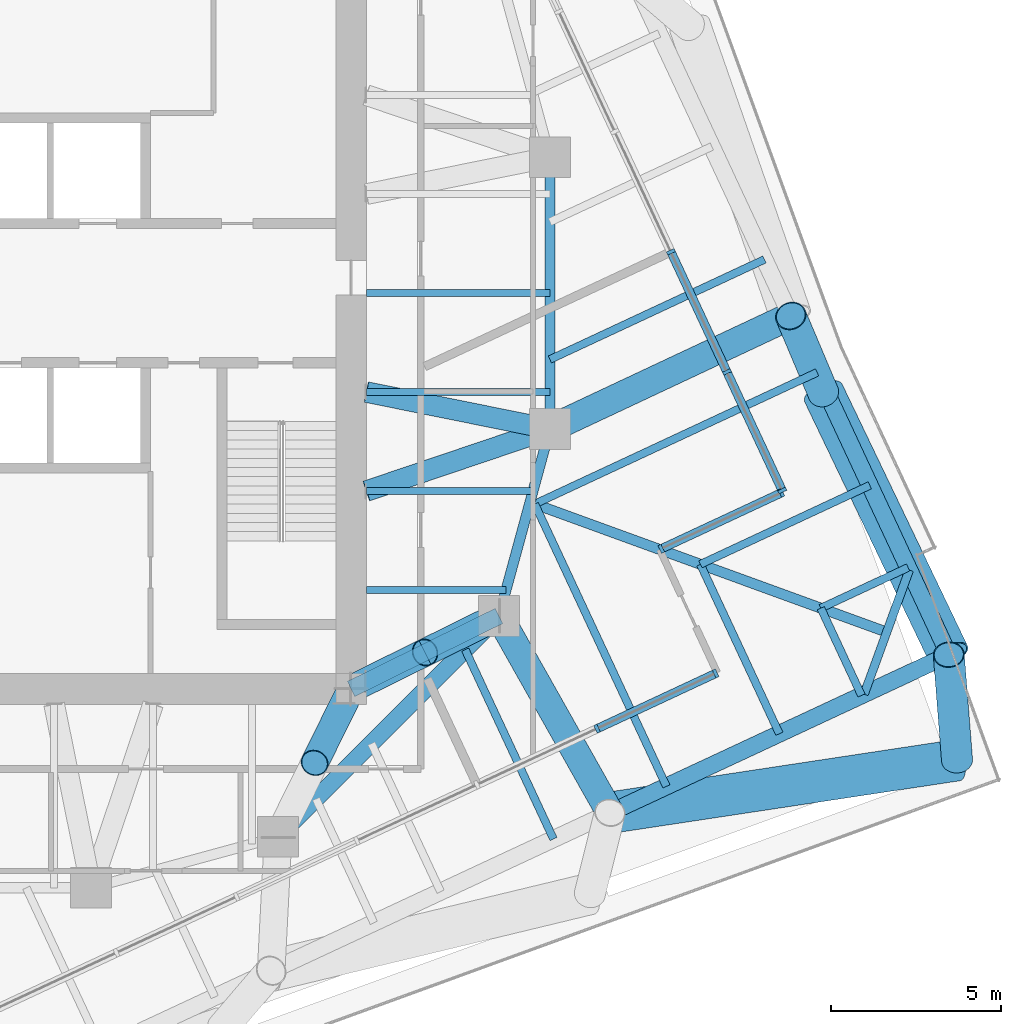
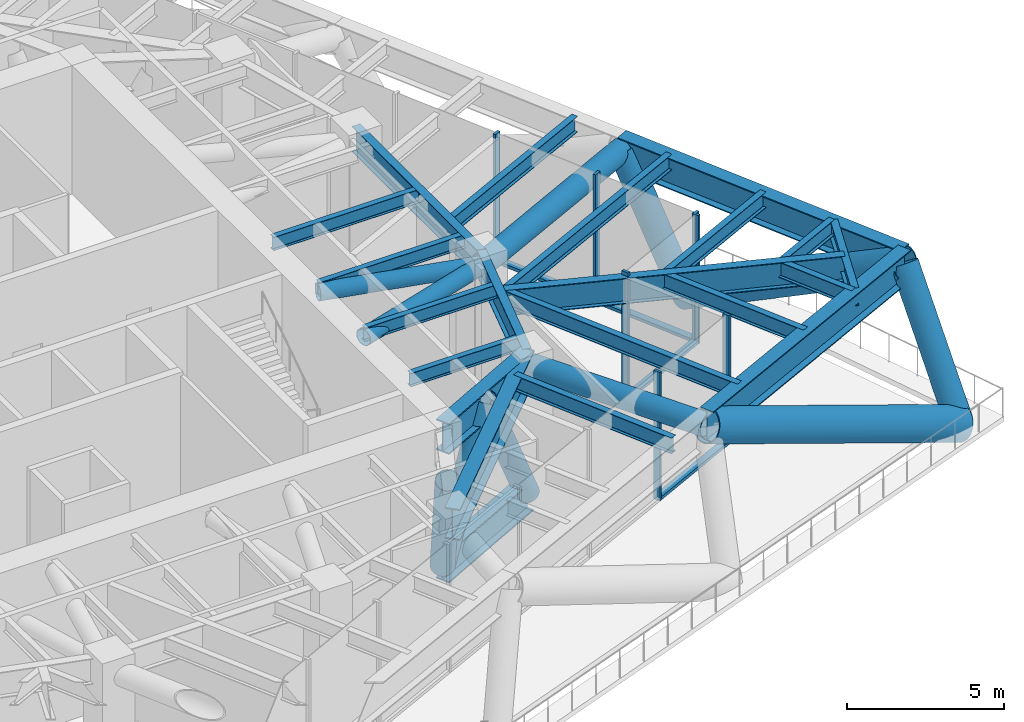
# One storey, part 4 of 16: 24 members, 19 beams, 3 elements without a shape of their own.
"""IFC4 building model written with IfcOpenShell, lengths in metres."""

from ifc_helpers import new_model, si_unit, direction, frame, origin, origin_2d, place, context, subcontext, project, spatial, rectangle, hollow_circle, i_section, extrude, material, material_profile, profile_set, type_object, element, aggregate, save


model = new_model("IFC4")

# Units and contexts
model_context = context("Model", 3, precision=1e-05, world=origin(), true_north=direction((0.0, 1.0)))
body_context = subcontext(model_context, "Body", "Model", "MODEL_VIEW")
ifc_project = project(units=[si_unit("LENGTHUNIT", "METRE"), si_unit("AREAUNIT", "SQUARE_METRE"), si_unit("VOLUMEUNIT", "CUBIC_METRE"), si_unit("PLANEANGLEUNIT", "RADIAN"), si_unit("MASSUNIT", "GRAM", prefix="KILO")], contexts=[model_context])

# Site, building, storey
site_placement = place(None, origin())
site = spatial("IfcSite", under=ifc_project, at=site_placement, CompositionType="ELEMENT")
building_placement = place(site_placement, origin())
building = spatial("IfcBuilding", under=site, at=building_placement, Name="Torsade Residences", CompositionType="ELEMENT")
storey_placement = place(building_placement, frame((0.0, 0.0, 171.0)))
storey = spatial("IfcBuildingStorey", under=building, at=storey_placement, Name="L47", CompositionType="ELEMENT", Elevation=171.0)

# Beams
ifc_material_1 = material(Name="Steel grade 300", Category="steel")
ifc_material_profile_1 = material_profile(ifc_material_1, i_section(OverallWidth=0.300048828125, OverallDepth=1.0, WebThickness=0.01611328125, FlangeThickness=0.028076171875, at=origin_2d()), Name="1000WB215")
ifc_profile_set_1 = profile_set([ifc_material_profile_1], Name="Steel grade 300")
beam_type_1 = type_object("IfcBeamType", Name="CORNER GIRDER 1000WB215", PredefinedType="BEAM", material=ifc_profile_set_1)
beam_1_placement = place(storey_placement, frame((67.4091796875, 20.02392578125, 4.35009765625), z_axis=(-0.93969447651, 0.342015044723, 0.0), x_axis=(-0.342015044723, -0.93969447651, 0.0)))
element("IfcBeam", 1, at=beam_1_placement, inside=storey, type_object=beam_type_1, Name="Corner girder 05 L48", PredefinedType="BEAM", context=body_context, shape_type="SweptSolid", body=[
    extrude(i_section(OverallWidth=0.300048828125, OverallDepth=1.0, WebThickness=0.01611328125, FlangeThickness=0.028076171875, at=origin_2d()), origin(), (0.0, 0.0, 1.0), 11.170654296875),
])
ifc_material_2 = material(Name="Steel grade 300", Category="steel")
ifc_material_profile_2 = material_profile(ifc_material_2, i_section(OverallWidth=0.25, OverallDepth=0.699951171875, WebThickness=0.010009765625, FlangeThickness=0.02001953125, at=origin_2d()), Name="700WB130")
ifc_profile_set_2 = profile_set([ifc_material_profile_2], Name="Steel grade 300")
beam_type_2 = type_object("IfcBeamType", Name="CORNER TRIMMER 700WB130", PredefinedType="BEAM", material=ifc_profile_set_2)
beam_2_placement = place(storey_placement, frame((68.07421875, 21.85107421875, 4.5), z_axis=(-0.342005152204, -0.939698076972, 0.0), x_axis=(0.939698076972, -0.342005152204, 0.0)))
element("IfcBeam", 2, at=beam_2_placement, inside=storey, type_object=beam_type_2, Name="Corner trimmer 05 L48", PredefinedType="BEAM", context=body_context, shape_type="SweptSolid", body=[
    extrude(i_section(OverallWidth=0.25, OverallDepth=0.699951171875, WebThickness=0.010009765625, FlangeThickness=0.02001953125, at=origin_2d()), origin(), (0.0, 0.0, 1.0), 3.88916015625),
])
ifc_material_3 = material(Name="Steel grade 300", Category="steel")
ifc_material_profile_3 = material_profile(ifc_material_3, i_section(OverallWidth=0.208984375, OverallDepth=0.528076171875, WebThickness=0.009521484375, FlangeThickness=0.01318359375, FilletRadius=0.013916015625, at=origin_2d()), Name="530UB82.0")
ifc_profile_set_3 = profile_set([ifc_material_profile_3], Name="Steel grade 300")
beam_type_3 = type_object("IfcBeamType", Name="INNER FLOOR BEAM 530UB82.0", PredefinedType="JOIST", material=ifc_profile_set_3)
beam_3_placement = place(storey_placement, frame((52.10009765625, 21.262451171875, 4.5859375), z_axis=(1.0, 0.0, 0.0), x_axis=(0.0, 1.0, 0.0)))
element("IfcBeam", 3, at=beam_3_placement, inside=storey, type_object=beam_type_3, Name="Inner floor beam IE01 L48", PredefinedType="JOIST", context=body_context, shape_type="SweptSolid", body=[
    extrude(i_section(OverallWidth=0.208984375, OverallDepth=0.528076171875, WebThickness=0.009521484375, FlangeThickness=0.01318359375, FilletRadius=0.013916015625, at=origin_2d()), origin(), (0.0, 0.0, 1.0), 4.10791015625),
])
beam_4_placement = place(storey_placement, frame((52.10009765625, 24.175048828125, 4.5859375), z_axis=(1.0, 0.0, 0.0), x_axis=(0.0, 1.0, 0.0)))
element("IfcBeam", 4, at=beam_4_placement, inside=storey, type_object=beam_type_3, Name="Inner floor beam IE02 L48", PredefinedType="JOIST", context=body_context, shape_type="SweptSolid", body=[
    extrude(i_section(OverallWidth=0.208984375, OverallDepth=0.528076171875, WebThickness=0.009521484375, FlangeThickness=0.01318359375, FilletRadius=0.013916015625, at=origin_2d()), origin(), (0.0, 0.0, 1.0), 4.902099609375),
])
for number, where, z_axis, x_axis, name in (
    (5, (52.10009765625, 27.08740234375, 4.5859375), (1.0, 0.0, 0.0), (0.0, 1.0, 0.0), "Inner floor beam IE03 L48"),
    (6, (52.10009765625, 30.0, 4.5859375), (1.0, 0.0, 0.0), (0.0, 1.0, 0.0), "Inner floor beam IE04 L48"),
):
    element("IfcBeam", number, at=place(storey_placement, frame(where, z_axis=z_axis, x_axis=x_axis)), inside=storey, type_object=beam_type_3, Name=name, PredefinedType="JOIST", context=body_context, shape_type="SweptSolid", body=[
        extrude(i_section(OverallWidth=0.208984375, OverallDepth=0.528076171875, WebThickness=0.009521484375, FlangeThickness=0.01318359375, FilletRadius=0.013916015625, at=origin_2d()), origin(), (0.0, 0.0, 1.0), 5.39990234375),
    ])

# Members
ifc_material_4 = material(Name="Steel grade 350", Category="steel")
ifc_material_profile_4 = material_profile(ifc_material_4, i_section(OverallWidth=0.5, OverallDepth=1.199951171875, WebThickness=0.031982421875, FlangeThickness=0.050048828125, at=origin_2d()), Name="1200x500x50x32WPG")
ifc_profile_set_4 = profile_set([ifc_material_profile_4], Name="Steel grade 350")
member_type_1 = type_object("IfcMemberType", Name="OUTRIGGER CHORD", PredefinedType="CHORD", material=ifc_profile_set_4)
for number, where, z_axis, x_axis, name in (
    (7, (51.64990234375, 18.35009765625, 4.25), (0.896490509266, 0.443062937737, 0.0), (-0.443062937737, 0.896490509266, 0.0), "Outrigger IR16 top chord L47"),
    (8, (51.64990234375, 18.35009765625, -0.75), (0.896490509266, 0.443062937737, 0.0), (-0.443062937737, 0.896490509266, 0.0), "Outrigger IR16 bottom chord L47"),
):
    element("IfcMember", number, at=place(storey_placement, frame(where, z_axis=z_axis, x_axis=x_axis)), inside=storey, type_object=member_type_1, Name=name, PredefinedType="CHORD", context=body_context, shape_type="SweptSolid", body=[
        extrude(i_section(OverallWidth=0.5, OverallDepth=1.199951171875, WebThickness=0.031982421875, FlangeThickness=0.050048828125, at=origin_2d()), origin(), (0.0, 0.0, 1.0), 4.852294921875),
    ])
ifc_material_5 = material(Name="Steel grade 450", Category="steel")
ifc_material_profile_5 = material_profile(ifc_material_5, hollow_circle(Radius=0.406494140625, WallThickness=0.02490234375, at=origin_2d()), Name="813.0x25.0CHS")
ifc_profile_set_5 = profile_set([ifc_material_profile_5], Name="Steel grade 450")
member_type_2 = type_object("IfcMemberType", Name="OUTRIGGER DIAGONAL", PredefinedType="BRACE", material=ifc_profile_set_5)
for number, where, z_axis, x_axis, name in (
    (9, (51.64990234375, 18.35009765625, -0.75), (-0.193421786849, -0.391368316838, 0.899677082595), (0.896490509266, -0.443062937737, 0.0), "Outrigger IR15 diagonal 1 L47"),
    (10, (51.64990234375, 18.35009765625, -0.75), (0.391368316838, 0.193421786849, 0.899677082595), (-0.443062937737, 0.896490509266, 0.0), "Outrigger IR16 diagonal 1 L47"),
    (11, (56.0, 20.5, -0.75), (-0.391368316838, -0.193421786849, 0.899677082595), (0.443062937737, -0.896490509266, 0.0), "Outrigger IR16 diagonal 2 L47"),
):
    element("IfcMember", number, at=place(storey_placement, frame(where, z_axis=z_axis, x_axis=x_axis)), inside=storey, type_object=member_type_2, Name=name, PredefinedType="BRACE", context=body_context, shape_type="SweptSolid", body=[
        extrude(hollow_circle(Radius=0.406494140625, WallThickness=0.02490234375, at=origin_2d()), origin(), (0.0, 0.0, 1.0), 5.5576171875),
    ])

# Beams
ifc_material_6 = material(Name="Steel grade 300", Category="steel")
ifc_material_profile_6 = material_profile(ifc_material_6, i_section(OverallWidth=0.5, OverallDepth=1.199951171875, WebThickness=0.01611328125, FlangeThickness=0.0400390625, at=origin_2d()), Name="1200WB455")
ifc_profile_set_6 = profile_set([ifc_material_profile_6], Name="Steel grade 300")
beam_type_4 = type_object("IfcBeamType", Name="RING CORNER GIRDER 1200WB455", PredefinedType="BEAM", material=ifc_profile_set_6)
beam_5_placement = place(storey_placement, frame((49.5, 14.0, 4.25), z_axis=(0.707106781187, 0.707106781187, 0.0), x_axis=(-0.707106781187, 0.707106781187, 0.0)))
element("IfcBeam", 12, at=beam_5_placement, inside=storey, type_object=beam_type_4, Name="Ring girder IR15 L48", PredefinedType="BEAM", context=body_context, shape_type="SweptSolid", body=[
    extrude(i_section(OverallWidth=0.5, OverallDepth=1.199951171875, WebThickness=0.01611328125, FlangeThickness=0.0400390625, at=origin_2d()), origin(), (0.0, 0.0, 1.0), 9.1923828125),
])
ifc_material_7 = material(Name="Steel grade 300", Category="steel")
ifc_material_profile_7 = material_profile(ifc_material_7, i_section(OverallWidth=0.300048828125, OverallDepth=1.0, WebThickness=0.01611328125, FlangeThickness=0.028076171875, at=origin_2d()), Name="1000WB215")
ifc_profile_set_7 = profile_set([ifc_material_profile_7], Name="Steel grade 300")
beam_type_5 = type_object("IfcBeamType", Name="RING GIRDER 1000WB215", PredefinedType="BEAM", material=ifc_profile_set_7)
beam_6_placement = place(storey_placement, frame((57.5, 26.0, 4.35009765625), z_axis=(0.0, 1.0, 0.0), x_axis=(-1.0, 0.0, 0.0)))
element("IfcBeam", 13, at=beam_6_placement, inside=storey, type_object=beam_type_5, Name="Ring girder IR01 L48", PredefinedType="BEAM", context=body_context, shape_type="SweptSolid", body=[
    extrude(i_section(OverallWidth=0.300048828125, OverallDepth=1.0, WebThickness=0.01611328125, FlangeThickness=0.028076171875, at=origin_2d()), origin(), (0.0, 0.0, 1.0), 8.0),
])
beam_7_placement = place(storey_placement, frame((56.0, 20.5, 4.35009765625), z_axis=(0.263117405792, 0.964763821238, 0.0), x_axis=(-0.964763821238, 0.263117405792, 0.0)))
element("IfcBeam", 14, at=beam_7_placement, inside=storey, type_object=beam_type_5, Name="Ring girder IR16 L48", PredefinedType="BEAM", context=body_context, shape_type="SweptSolid", body=[
    extrude(i_section(OverallWidth=0.300048828125, OverallDepth=1.0, WebThickness=0.01611328125, FlangeThickness=0.028076171875, at=origin_2d()), origin(), (0.0, 0.0, 1.0), 5.700927734375),
])
ifc_material_8 = material(Name="Steel grade 300", Category="steel")
ifc_material_profile_8 = material_profile(ifc_material_8, i_section(OverallWidth=0.22900390625, OverallDepth=0.612060546875, WebThickness=0.011962890625, FlangeThickness=0.01953125, FilletRadius=0.013916015625, at=origin_2d()), Name="610UB125")
ifc_profile_set_8 = profile_set([ifc_material_profile_8], Name="Steel grade 300")
beam_type_6 = type_object("IfcBeamType", Name="SECONDARY BEAM 610UB125", PredefinedType="JOIST", material=ifc_profile_set_8)
beam_8_placement = place(storey_placement, frame((57.60546875, 13.935302734375, 4.5439453125), z_axis=(-0.42264848683, 0.906293692233, 0.0), x_axis=(-0.906293692233, -0.42264848683, 0.0)))
element("IfcBeam", 15, at=beam_8_placement, inside=storey, type_object=beam_type_6, Name="Floor beam FS09 L48", PredefinedType="JOIST", context=body_context, shape_type="SweptSolid", body=[
    extrude(i_section(OverallWidth=0.22900390625, OverallDepth=0.612060546875, WebThickness=0.011962890625, FlangeThickness=0.01953125, FilletRadius=0.013916015625, at=origin_2d()), origin(), (0.0, 0.0, 1.0), 6.14794921875),
])
beam_9_placement = place(storey_placement, frame((60.928466796875, 15.48486328125, 4.5439453125), z_axis=(-0.422618627092, 0.90630761667, 0.0), x_axis=(-0.90630761667, -0.422618627092, 0.0)))
element("IfcBeam", 16, at=beam_9_placement, inside=storey, type_object=beam_type_6, Name="Floor beam FS10 L48", PredefinedType="JOIST", context=body_context, shape_type="SweptSolid", body=[
    extrude(i_section(OverallWidth=0.22900390625, OverallDepth=0.612060546875, WebThickness=0.011962890625, FlangeThickness=0.01953125, FilletRadius=0.013916015625, at=origin_2d()), origin(), (0.0, 0.0, 1.0), 9.166748046875),
])
beam_10_placement = place(storey_placement, frame((64.251708984375, 17.034423828125, 4.5439453125), z_axis=(-0.422632720171, 0.90630104482, 0.0), x_axis=(-0.90630104482, -0.422632720171, 0.0)))
element("IfcBeam", 17, at=beam_10_placement, inside=storey, type_object=beam_type_6, Name="Floor beam FS11 L48", PredefinedType="JOIST", context=body_context, shape_type="SweptSolid", body=[
    extrude(i_section(OverallWidth=0.22900390625, OverallDepth=0.612060546875, WebThickness=0.011962890625, FlangeThickness=0.01953125, FilletRadius=0.013916015625, at=origin_2d()), origin(), (0.0, 0.0, 1.0), 5.5),
])
for number, where, z_axis, x_axis, name in (
    (18, (66.66845703125, 18.161376953125, 4.5439453125), (-0.42257409885, 0.906328379221, 0.0), (-0.906328379221, -0.42257409885, 0.0), "Floor beam FS12 L48"),
    (19, (68.0390625, 21.9267578125, 4.5439453125), (-0.906295375613, -0.422644877104, 0.0), (0.422644877104, -0.906295375613, 0.0), "Floor beam FE01 L48"),
):
    element("IfcBeam", number, at=place(storey_placement, frame(where, z_axis=z_axis, x_axis=x_axis)), inside=storey, type_object=beam_type_6, Name=name, PredefinedType="JOIST", context=body_context, shape_type="SweptSolid", body=[
        extrude(i_section(OverallWidth=0.22900390625, OverallDepth=0.612060546875, WebThickness=0.011962890625, FlangeThickness=0.01953125, FilletRadius=0.013916015625, at=origin_2d()), origin(), (0.0, 0.0, 1.0), 2.833251953125),
    ])
beam_11_placement = place(storey_placement, frame((66.911865234375, 24.343505859375, 4.5439453125), z_axis=(-0.90630104482, -0.422632720171, 0.0), x_axis=(0.422632720171, -0.90630104482, 0.0)))
element("IfcBeam", 20, at=beam_11_placement, inside=storey, type_object=beam_type_6, Name="Floor beam FE02 L48", PredefinedType="JOIST", context=body_context, shape_type="SweptSolid", body=[
    extrude(i_section(OverallWidth=0.22900390625, OverallDepth=0.612060546875, WebThickness=0.011962890625, FlangeThickness=0.01953125, FilletRadius=0.013916015625, at=origin_2d()), origin(), (0.0, 0.0, 1.0), 5.5),
])
beam_12_placement = place(storey_placement, frame((65.3623046875, 27.666748046875, 4.5439453125), z_axis=(-0.90630761667, -0.422618627092, 0.0), x_axis=(0.422618627092, -0.90630761667, 0.0)))
element("IfcBeam", 21, at=beam_12_placement, inside=storey, type_object=beam_type_6, Name="Floor beam FE03 L48", PredefinedType="JOIST", context=body_context, shape_type="SweptSolid", body=[
    extrude(i_section(OverallWidth=0.22900390625, OverallDepth=0.612060546875, WebThickness=0.011962890625, FlangeThickness=0.01953125, FilletRadius=0.013916015625, at=origin_2d()), origin(), (0.0, 0.0, 1.0), 9.166748046875),
])
beam_13_placement = place(storey_placement, frame((63.812744140625, 30.98974609375, 4.5439453125), z_axis=(-0.906312044376, -0.422609131726, 0.0), x_axis=(0.422609131726, -0.906312044376, 0.0)))
element("IfcBeam", 22, at=beam_13_placement, inside=storey, type_object=beam_type_6, Name="Floor beam FE04 L48", PredefinedType="JOIST", context=body_context, shape_type="SweptSolid", body=[
    extrude(i_section(OverallWidth=0.22900390625, OverallDepth=0.612060546875, WebThickness=0.011962890625, FlangeThickness=0.01953125, FilletRadius=0.013916015625, at=origin_2d()), origin(), (0.0, 0.0, 1.0), 6.96533203125),
])

# Members
ifc_material_9 = material(Name="Steel grade 450", Category="steel")
ifc_material_profile_9 = material_profile(ifc_material_9, hollow_circle(Radius=0.304931640625, WallThickness=0.01611328125, at=origin_2d()), Name="610.0x16.0CHS")
ifc_profile_set_9 = profile_set([ifc_material_profile_9], Name="Steel grade 450")
member_type_3 = type_object("IfcMemberType", Name="TRANSFER FLOOR BRACE 610.0x16.0CHS", PredefinedType="BRACE", material=ifc_profile_set_9)
member_1_placement = place(storey_placement, frame((57.5, 26.0, 4.25), z_axis=(-0.97976207845, 0.197299045909, 0.03375434957), x_axis=(-0.197411538983, -0.980320704809, 0.0)))
element("IfcMember", 23, at=member_1_placement, inside=storey, type_object=member_type_3, Name="Transfer floor brace TT5 top IR01IE03", PredefinedType="BRACE", context=body_context, shape_type="SweptSolid", body=[
    extrude(hollow_circle(Radius=0.304931640625, WallThickness=0.01611328125, at=origin_2d()), origin(), (0.0, 0.0, 1.0), 5.511474609375),
])
member_2_placement = place(storey_placement, frame((57.5, 26.0, 4.25), z_axis=(-0.946855969774, -0.319999474368, 0.032620682203), x_axis=(0.320169867513, -0.947360151124, 0.0)))
element("IfcMember", 24, at=member_2_placement, inside=storey, type_object=member_type_3, Name="Transfer floor brace TT5 top IR01IE02", PredefinedType="BRACE", context=body_context, shape_type="SweptSolid", body=[
    extrude(hollow_circle(Radius=0.304931640625, WallThickness=0.01611328125, at=origin_2d()), origin(), (0.0, 0.0, 1.0), 5.702880859375),
])
ifc_material_10 = material(Name="Steel grade 450", Category="steel")
ifc_material_profile_10 = material_profile(ifc_material_10, hollow_circle(Radius=0.406494140625, WallThickness=0.02490234375, at=origin_2d()), Name="813.0x25.0CHS")
ifc_profile_set_10 = profile_set([ifc_material_profile_10], Name="Steel grade 450")
member_type_4 = type_object("IfcMemberType", Name="TRANSFER FLOOR STRUT 813.0x25.0CHS", PredefinedType="STRUT", material=ifc_profile_set_10)
member_3_placement = place(storey_placement, frame((59.26708984375, 14.7099609375, 4.25), z_axis=(-0.491425472703, 0.870919631641, 0.0), x_axis=(-0.870919631641, -0.491425472703, 0.0)))
element("IfcMember", 25, at=member_3_placement, inside=storey, type_object=member_type_4, Name="Transfer floor strut TT5 top 04IR16", PredefinedType="STRUT", context=body_context, shape_type="SweptSolid", body=[
    extrude(hollow_circle(Radius=0.406494140625, WallThickness=0.02490234375, at=origin_2d()), origin(), (0.0, 0.0, 1.0), 6.648193359375),
])
member_4_placement = place(storey_placement, frame((64.587646484375, 29.328125, 4.25), z_axis=(-0.905174521931, -0.425040097929, 0.0), x_axis=(0.425040097929, -0.905174521931, 0.0)))
element("IfcMember", 26, at=member_4_placement, inside=storey, type_object=member_type_4, Name="Transfer floor strut TT5 top 06IR01", PredefinedType="STRUT", context=body_context, shape_type="SweptSolid", body=[
    extrude(hollow_circle(Radius=0.406494140625, WallThickness=0.02490234375, at=origin_2d()), origin(), (0.0, 0.0, 1.0), 7.830078125),
])

# Curtain wall, members
ifc_material_11 = material(Name="Aluminium and glass", Category="aluminium")
curtain_wall_type = type_object("IfcCurtainWallType", Name="TRANSFER LEVEL CURTAIN WALL LOW ZONE", PredefinedType="NOTDEFINED", material=ifc_material_11)
curtain_wall_1_placement = place(storey_placement, origin())
curtain_wall_1 = element("IfcCurtainWall", 27, at=curtain_wall_1_placement, inside=storey, type_object=curtain_wall_type, Name="Curtain wall L47 face 1", PredefinedType="NOTDEFINED")
ifc_material_12 = material(Name="Aluminium mullion", Category="aluminium")
ifc_material_profile_11 = material_profile(ifc_material_12, rectangle(XDim=0.25, YDim=0.10009765625, at=origin_2d()), Name="TRANSFER LEVEL CURTAIN WALL MULLION 250x100")
ifc_profile_set_11 = profile_set([ifc_material_profile_11], Name="Aluminium mullion")
member_type_5 = type_object("IfcMemberType", Name="TRANSFER LEVEL CURTAIN WALL MULLION 250x100", PredefinedType="MULLION", material=ifc_profile_set_11)
member_5_placement = place(storey_placement, frame((58.88720703125, 17.180908203125, 0.0), z_axis=(0.0, 0.0, 1.0), x_axis=(-0.42261826734, 0.906307784426, 0.0)))
member_5 = element("IfcMember", 28, at=member_5_placement, type_object=member_type_5, Name="Mullion 8", PredefinedType="MULLION", context=body_context, shape_type="SweptSolid", body=[
    extrude(rectangle(XDim=0.25, YDim=0.10009765625, at=origin_2d()), origin(), (0.0, 0.0, 1.0), 5.0),
])
member_6_placement = place(storey_placement, frame((62.37646484375, 18.80810546875, 0.0), z_axis=(0.0, 0.0, 1.0), x_axis=(-0.42261826734, 0.906307784426, 0.0)))
member_6 = element("IfcMember", 29, at=member_6_placement, type_object=member_type_5, Name="Mullion 9", PredefinedType="MULLION", context=body_context, shape_type="SweptSolid", body=[
    extrude(rectangle(XDim=0.25, YDim=0.10009765625, at=origin_2d()), origin(), (0.0, 0.0, 1.0), 5.0),
])

curtain_wall_2_placement = place(storey_placement, origin())
curtain_wall_2 = element("IfcCurtainWall", 30, at=curtain_wall_2_placement, inside=storey, type_object=curtain_wall_type, Name="Curtain wall L47 face 3", PredefinedType="NOTDEFINED")
member_7_placement = place(storey_placement, frame((60.776611328125, 22.4755859375, 0.0), z_axis=(0.0, 0.0, 1.0), x_axis=(-0.422618170534, 0.906307829567, 0.0)))
member_7 = element("IfcMember", 31, at=member_7_placement, type_object=member_type_5, Name="Mullion 1", PredefinedType="MULLION", context=body_context, shape_type="SweptSolid", body=[
    extrude(rectangle(XDim=0.25, YDim=0.10009765625, at=origin_2d()), origin(), (0.0, 0.0, 1.0), 5.0),
])
member_8_placement = place(storey_placement, frame((64.311279296875, 24.123779296875, 0.0), z_axis=(0.0, 0.0, 1.0), x_axis=(-0.422618170534, 0.906307829567, 0.0)))
member_8 = element("IfcMember", 32, at=member_8_placement, type_object=member_type_5, Name="Mullion 2", PredefinedType="MULLION", context=body_context, shape_type="SweptSolid", body=[
    extrude(rectangle(XDim=0.25, YDim=0.10009765625, at=origin_2d()), origin(), (0.0, 0.0, 1.0), 5.0),
])

curtain_wall_3_placement = place(storey_placement, origin())
curtain_wall_3 = element("IfcCurtainWall", 33, at=curtain_wall_3_placement, inside=storey, type_object=curtain_wall_type, Name="Curtain wall L47 face 4", PredefinedType="NOTDEFINED")
member_9_placement = place(storey_placement, frame((64.33544921875, 24.190185546875, 0.0), z_axis=(0.0, 0.0, 1.0), x_axis=(-0.906307784426, -0.42261826734, 0.0)))
member_9 = element("IfcMember", 34, at=member_9_placement, type_object=member_type_5, Name="Mullion 1", PredefinedType="MULLION", context=body_context, shape_type="SweptSolid", body=[
    extrude(rectangle(XDim=0.25, YDim=0.10009765625, at=origin_2d()), origin(), (0.0, 0.0, 1.0), 5.0),
])
member_10_placement = place(storey_placement, frame((62.708251953125, 27.679443359375, 0.0), z_axis=(0.0, 0.0, 1.0), x_axis=(-0.906307784426, -0.42261826734, 0.0)))
member_10 = element("IfcMember", 35, at=member_10_placement, type_object=member_type_5, Name="Mullion 2", PredefinedType="MULLION", context=body_context, shape_type="SweptSolid", body=[
    extrude(rectangle(XDim=0.25, YDim=0.10009765625, at=origin_2d()), origin(), (0.0, 0.0, 1.0), 5.0),
])
member_11_placement = place(storey_placement, frame((61.06005859375, 31.214111328125, 0.0), z_axis=(0.0, 0.0, 1.0), x_axis=(-0.906307784426, -0.42261826734, 0.0)))
member_11 = element("IfcMember", 36, at=member_11_placement, type_object=member_type_5, Name="Mullion 3", PredefinedType="MULLION", context=body_context, shape_type="SweptSolid", body=[
    extrude(rectangle(XDim=0.25, YDim=0.10009765625, at=origin_2d()), origin(), (0.0, 0.0, 1.0), 5.0),
])

# Member
ifc_material_13 = material(Name="Aluminium transom", Category="aluminium")
ifc_material_profile_12 = material_profile(ifc_material_13, rectangle(XDim=0.25, YDim=0.1201171875, at=origin_2d()), Name="TRANSFER LEVEL CURTAIN WALL TRANSOM 250x120")
ifc_profile_set_12 = profile_set([ifc_material_profile_12], Name="Aluminium transom")
member_type_6 = type_object("IfcMemberType", Name="TRANSFER LEVEL CURTAIN WALL TRANSOM 250x120", PredefinedType="USERDEFINED", material=ifc_profile_set_12)
member_12_placement = place(storey_placement, frame((58.932373046875, 17.2021484375, 0.06005859375), z_axis=(0.906319479626, 0.422593185996, 0.0), x_axis=(-0.422593185996, 0.906319479626, 0.0)))
member_12 = element("IfcMember", 37, at=member_12_placement, type_object=member_type_6, Name="Transom 8.1", ObjectType="TRANSOM", PredefinedType="USERDEFINED", context=body_context, shape_type="SweptSolid", body=[
    extrude(rectangle(XDim=0.25, YDim=0.1201171875, at=origin_2d()), origin(), (0.0, 0.0, 1.0), 3.75),
])

aggregate(curtain_wall_1, [member_5, member_6, member_12])

member_13_placement = place(storey_placement, frame((60.82177734375, 22.496826171875, 0.06005859375), z_axis=(0.906337367115, 0.42255482126, 0.0), x_axis=(-0.42255482126, 0.906337367115, 0.0)))
member_13 = element("IfcMember", 38, at=member_13_placement, type_object=member_type_6, Name="Transom 1.1", ObjectType="TRANSOM", PredefinedType="USERDEFINED", context=body_context, shape_type="SweptSolid", body=[
    extrude(rectangle(XDim=0.25, YDim=0.1201171875, at=origin_2d()), origin(), (0.0, 0.0, 1.0), 3.800048828125),
])

aggregate(curtain_wall_2, [member_7, member_8, member_13])

member_14_placement = place(storey_placement, frame((64.314208984375, 24.235595703125, 0.06005859375), z_axis=(-0.422593185996, 0.906319479626, 0.0), x_axis=(-0.906319479626, -0.422593185996, 0.0)))
member_14 = element("IfcMember", 39, at=member_14_placement, type_object=member_type_6, Name="Transom 1.1", ObjectType="TRANSOM", PredefinedType="USERDEFINED", context=body_context, shape_type="SweptSolid", body=[
    extrude(rectangle(XDim=0.25, YDim=0.1201171875, at=origin_2d()), origin(), (0.0, 0.0, 1.0), 3.75),
])

member_15_placement = place(storey_placement, frame((62.687255859375, 27.724853515625, 0.06005859375), z_axis=(-0.422632203217, 0.906301285889, 0.0), x_axis=(-0.906301285889, -0.422632203217, 0.0)))
member_15 = element("IfcMember", 40, at=member_15_placement, type_object=member_type_6, Name="Transom 2.1", ObjectType="TRANSOM", PredefinedType="USERDEFINED", context=body_context, shape_type="SweptSolid", body=[
    extrude(rectangle(XDim=0.25, YDim=0.1201171875, at=origin_2d()), origin(), (0.0, 0.0, 1.0), 3.7998046875),
])

aggregate(curtain_wall_3, [member_9, member_10, member_11, member_14, member_15])

# Beams
ifc_material_14 = material(Name="Steel grade 300", Category="steel")
ifc_material_profile_13 = material_profile(ifc_material_14, i_section(OverallWidth=0.5, OverallDepth=1.199951171875, WebThickness=0.01611328125, FlangeThickness=0.0400390625, at=origin_2d()), Name="1200WB455")
ifc_profile_set_13 = profile_set([ifc_material_profile_13], Name="Steel grade 300")
beam_type_7 = type_object("IfcBeamType", Name="TRANSFER TRUSS CHORD 1200WB455", PredefinedType="USERDEFINED", material=ifc_profile_set_13)
beam_14_placement = place(storey_placement, frame((59.26708984375, 14.7099609375, 4.25), z_axis=(0.90630104482, 0.422632720171, 0.0), x_axis=(-0.422632720171, 0.90630104482, 0.0)))
element("IfcBeam", 41, at=beam_14_placement, inside=storey, type_object=beam_type_7, Name="Transfer truss TT5 top chord 04", ObjectType="TRANSFER TRUSS CHORD", PredefinedType="USERDEFINED", context=body_context, shape_type="SweptSolid", body=[
    extrude(i_section(OverallWidth=0.5, OverallDepth=1.199951171875, WebThickness=0.01611328125, FlangeThickness=0.0400390625, at=origin_2d()), origin(), (0.0, 0.0, 1.0), 11.0),
])
beam_15_placement = place(storey_placement, frame((69.236328125, 19.35888671875, 4.25), z_axis=(-0.422614489543, 0.906309546032, 0.0), x_axis=(-0.906309546032, -0.422614489543, 0.0)))
element("IfcBeam", 42, at=beam_15_placement, inside=storey, type_object=beam_type_7, Name="Transfer truss TT5 top chord 05", ObjectType="TRANSFER TRUSS CHORD", PredefinedType="USERDEFINED", context=body_context, shape_type="SweptSolid", body=[
    extrude(i_section(OverallWidth=0.5, OverallDepth=1.199951171875, WebThickness=0.01611328125, FlangeThickness=0.0400390625, at=origin_2d()), origin(), (0.0, 0.0, 1.0), 10.999755859375),
])

# Members
ifc_material_15 = material(Name="Steel grade 450", Category="steel")
ifc_material_profile_14 = material_profile(ifc_material_15, hollow_circle(Radius=0.609619140625, WallThickness=0.0400390625, at=origin_2d()), Name="1219.0x40.0CHS")
ifc_profile_set_14 = profile_set([ifc_material_profile_14], Name="Steel grade 450")
member_type_7 = type_object("IfcMemberType", Name="TRANSFER TRUSS DIAGONAL 1219.0x40.0CHS", PredefinedType="BRACE", material=ifc_profile_set_14)
member_16_placement = place(storey_placement, frame((69.4794921875, 16.25341796875, -0.199951171875), z_axis=(-0.90807412981, -0.137242281823, 0.395684130147), x_axis=(0.149438452053, -0.988771029636, 0.0)))
element("IfcMember", 43, at=member_16_placement, inside=storey, type_object=member_type_7, Name="Transfer truss TT5 diagonal 04", PredefinedType="BRACE", context=body_context, shape_type="SweptSolid", body=[
    extrude(hollow_circle(Radius=0.609619140625, WallThickness=0.0400390625, at=origin_2d()), origin(), (0.0, 0.0, 1.0), 11.246337890625),
])
member_17_placement = place(storey_placement, frame((65.546142578125, 27.06005859375, -0.199951171875), z_axis=(0.38321608835, -0.799746496256, 0.462115755365), x_axis=(0.901814171889, 0.432124055545, 0.0)))
element("IfcMember", 44, at=member_17_placement, inside=storey, type_object=member_type_7, Name="Transfer truss TT5 diagonal 05", PredefinedType="BRACE", context=body_context, shape_type="SweptSolid", body=[
    extrude(hollow_circle(Radius=0.609619140625, WallThickness=0.0400390625, at=origin_2d()), origin(), (0.0, 0.0, 1.0), 9.62939453125),
])
ifc_material_16 = material(Name="Steel grade 450", Category="steel")
ifc_material_profile_15 = material_profile(ifc_material_16, hollow_circle(Radius=0.45703125, WallThickness=0.028076171875, at=origin_2d()), Name="914.0x28.0CHS")
ifc_profile_set_15 = profile_set([ifc_material_profile_15], Name="Steel grade 450")
member_type_8 = type_object("IfcMemberType", Name="TRANSFER TRUSS RAKING STRUT 914.0x28.0CHS", PredefinedType="STRUT", material=ifc_profile_set_15)
member_18_placement = place(storey_placement, frame((69.4794921875, 16.25341796875, -0.199951171875), z_axis=(-0.044766240301, 0.571713430351, 0.819231186714), x_axis=(-0.99694843241, -0.078062943292, 0.0)))
element("IfcMember", 45, at=member_18_placement, inside=storey, type_object=member_type_8, Name="Transfer truss TT5 raking strut 05", PredefinedType="STRUT", context=body_context, shape_type="SweptSolid", body=[
    extrude(hollow_circle(Radius=0.45703125, WallThickness=0.028076171875, at=origin_2d()), origin(), (0.0, 0.0, 1.0), 5.431884765625),
])
member_19_placement = place(storey_placement, frame((65.546142578125, 27.06005859375, -0.199951171875), z_axis=(-0.188466818794, 0.445964530462, 0.874983368861), x_axis=(-0.921123183218, -0.389271218225, 0.0)))
element("IfcMember", 46, at=member_19_placement, inside=storey, type_object=member_type_8, Name="Transfer truss TT5 raking strut 06", PredefinedType="STRUT", context=body_context, shape_type="SweptSolid", body=[
    extrude(hollow_circle(Radius=0.45703125, WallThickness=0.028076171875, at=origin_2d()), origin(), (0.0, 0.0, 1.0), 5.085693359375),
])

save(model, "model.ifc")
